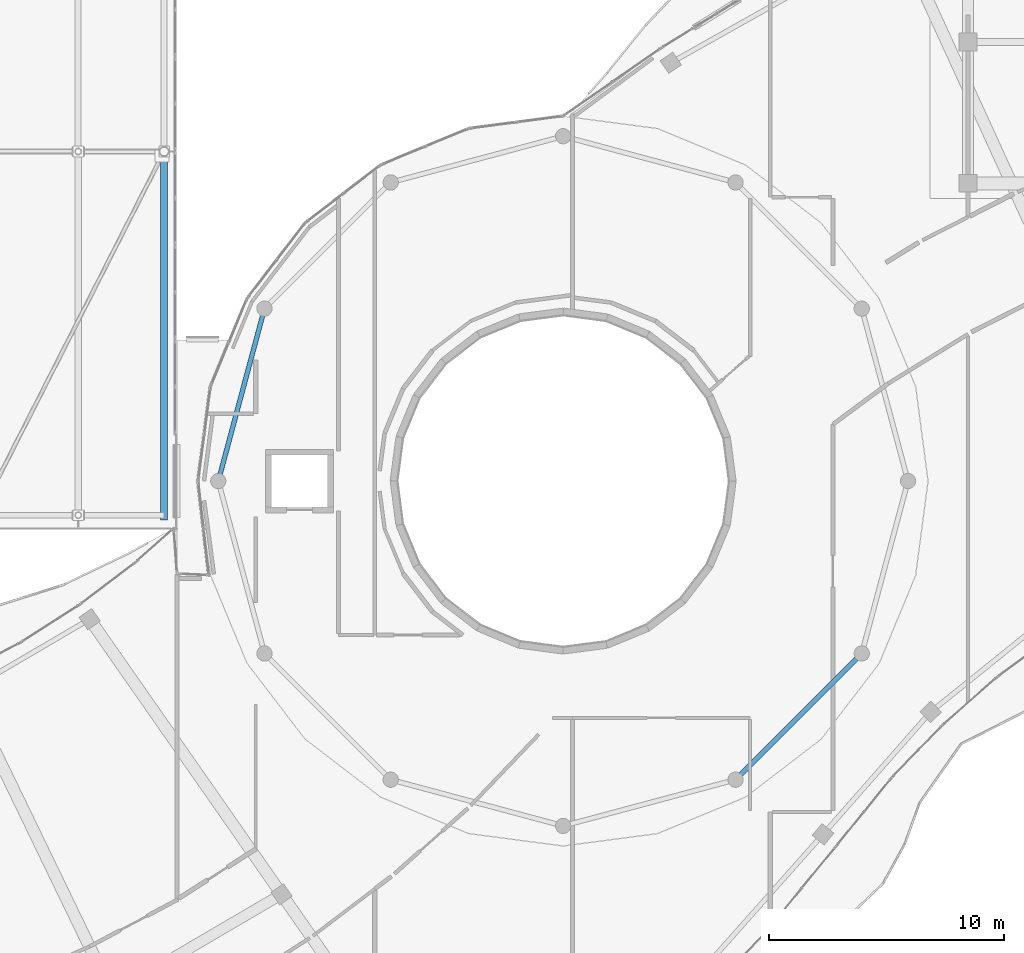
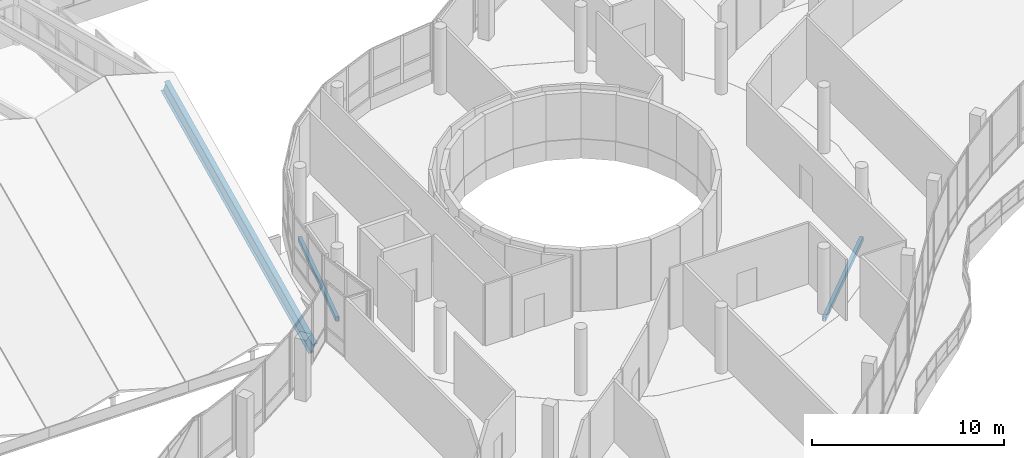
# One storey, part 58 of 184: 3 beams.
"""IFC4 building model written with IfcOpenShell, lengths in metres."""

from ifc_helpers import new_model, si_unit, direction, frame, origin, origin_2d, place, context, subcontext, project, spatial, hollow_rectangle, i_section, extrude, material, material_profile, profile_set, type_object, element, save


model = new_model("IFC4")

# Units and contexts
model_context = context("Model", 3, precision=1e-05, world=origin(), true_north=direction((0.0, 1.0)))
body_context = subcontext(model_context, "Body", "Model", "MODEL_VIEW")
ifc_project = project(units=[si_unit("LENGTHUNIT", "METRE"), si_unit("AREAUNIT", "SQUARE_METRE"), si_unit("VOLUMEUNIT", "CUBIC_METRE"), si_unit("PLANEANGLEUNIT", "RADIAN"), si_unit("MASSUNIT", "GRAM", prefix="KILO")], contexts=[model_context])

# Site, building, storey
site_placement = place(None, origin())
site = spatial("IfcSite", under=ifc_project, at=site_placement, CompositionType="ELEMENT")
building_placement = place(site_placement, origin())
building = spatial("IfcBuilding", under=site, at=building_placement, Name="Selatvlak General Hospital", CompositionType="ELEMENT")
storey_placement = place(building_placement, frame((0.0, 0.0, 15.0)))
storey = spatial("IfcBuildingStorey", under=building, at=storey_placement, Name="L03", CompositionType="ELEMENT", Elevation=15.0)

# Beams
ifc_material = material(Name="Steel S355", Category="steel")
ifc_material_profile_1 = material_profile(ifc_material, i_section(OverallWidth=0.30419921875, OverallDepth=0.910400390625, WebThickness=0.015869140625, FlangeThickness=0.02392578125, at=origin_2d()), Name="UB 914x305x224")
ifc_profile_set_1 = profile_set([ifc_material_profile_1], Name="Steel S355")
beam_type_1 = type_object("IfcBeamType", Name="BM-RF1", PredefinedType="BEAM", material=ifc_profile_set_1)
beam_1_placement = place(storey_placement, frame((81.050048828125, 52.550048828125, -0.679931640625), z_axis=(0.0, 0.901888793553, 0.431968290577), x_axis=(-1.0, 0.0, 0.0)))
element("IfcBeam", 1, at=beam_1_placement, inside=storey, type_object=beam_type_1, Name="Folded roof south rafter 15", PredefinedType="BEAM", context=body_context, shape_type="SweptSolid", body=[
    extrude(i_section(OverallWidth=0.30419921875, OverallDepth=0.910400390625, WebThickness=0.015869140625, FlangeThickness=0.02392578125, at=origin_2d()), origin(), (0.0, 0.0, 1.0), 17.130615234375),
])
ifc_material_profile_2 = material_profile(ifc_material, hollow_rectangle(XDim=0.199951171875, YDim=0.300048828125, WallThickness=0.011962890625, at=origin_2d()), Name="RHS 300x200x12")
ifc_profile_set_2 = profile_set([ifc_material_profile_2], Name="Steel S355")
beam_type_2 = type_object("IfcBeamType", Name="BM-SP3", PredefinedType="SPANDREL", material=ifc_profile_set_2)
beam_2_placement = place(storey_placement, frame((105.324951171875, 41.31298828125, -0.489990234375), z_axis=(0.707106781187, 0.707106781187, 0.0), x_axis=(-0.707106781187, 0.707106781187, 0.0)))
element("IfcBeam", 2, at=beam_2_placement, inside=storey, type_object=beam_type_2, Name="Beam BMR-L03-1449", PredefinedType="SPANDREL", context=body_context, shape_type="SweptSolid", body=[
    extrude(hollow_rectangle(XDim=0.199951171875, YDim=0.300048828125, WallThickness=0.011962890625, at=origin_2d()), origin(), (0.0, 0.0, 1.0), 7.5830078125),
])
beam_3_placement = place(storey_placement, frame((85.31298828125, 61.324951171875, -0.489990234375), z_axis=(-0.25884068345, -0.965920028052, 0.0), x_axis=(0.965920028052, -0.25884068345, 0.0)))
element("IfcBeam", 3, at=beam_3_placement, inside=storey, type_object=beam_type_2, Name="Beam BMR-L03-1456", PredefinedType="SPANDREL", context=body_context, shape_type="SweptSolid", body=[
    extrude(hollow_rectangle(XDim=0.199951171875, YDim=0.300048828125, WallThickness=0.011962890625, at=origin_2d()), origin(), (0.0, 0.0, 1.0), 7.58349609375),
])

save(model, "model.ifc")
